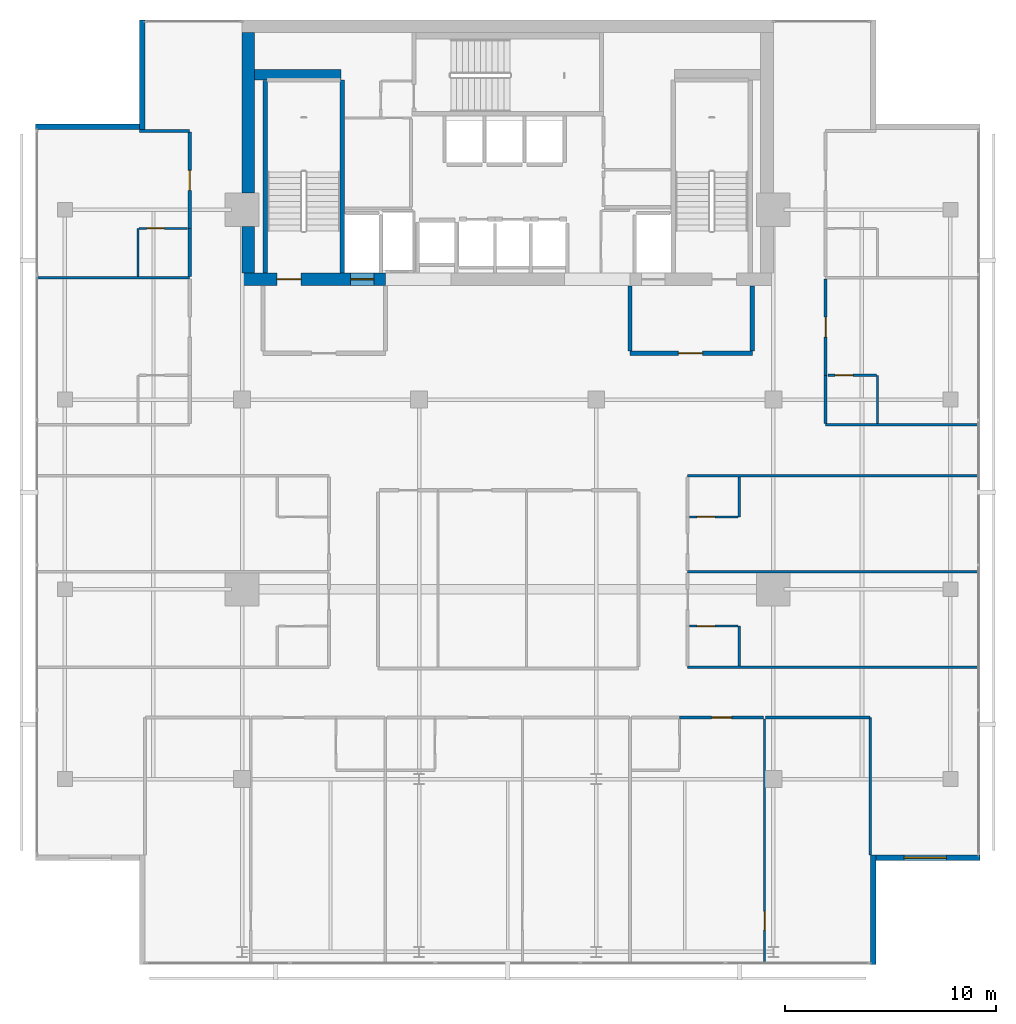
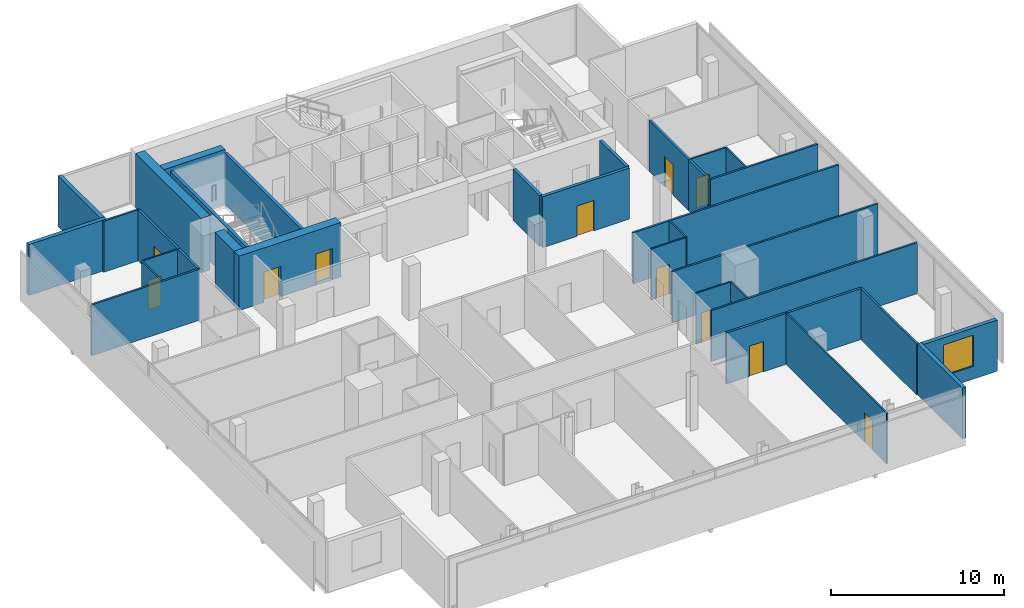
# One storey, part 21 of 25: 35 walls, 11 doors, 1 window, 12 openings.
"""IFC4 building model written with IfcOpenShell, lengths in metres."""

from ifc_helpers import new_model, si_unit, direction, frame, frame_2d, origin, place, context, subcontext, project, spatial, rectangle, extrude, material, layer, layer_set, type_object, element, fill, save


model = new_model("IFC4")

# Units and contexts
model_context = context("Model", 3, precision=1e-05, world=origin(), true_north=direction((0.0, 1.0)))
body_context = subcontext(model_context, "Body", "Model", "MODEL_VIEW")
ifc_project = project(units=[si_unit("LENGTHUNIT", "METRE"), si_unit("AREAUNIT", "SQUARE_METRE"), si_unit("VOLUMEUNIT", "CUBIC_METRE"), si_unit("PLANEANGLEUNIT", "RADIAN"), si_unit("MASSUNIT", "GRAM", prefix="KILO")], contexts=[model_context])

# Site, building, storey
site_placement = place(None, origin())
site = spatial("IfcSite", under=ifc_project, at=site_placement, CompositionType="ELEMENT")
building_placement = place(site_placement, origin())
building = spatial("IfcBuilding", under=site, at=building_placement, Name="Maruvema Waterfront Hotel and Observation Tower", CompositionType="ELEMENT")
storey_placement = place(building_placement, frame((0.0, 0.0, 297.14990234375)))
storey = spatial("IfcBuildingStorey", under=building, at=storey_placement, Name="L73", CompositionType="ELEMENT", Elevation=297.14990234375)

# Wall, opening, door
ifc_material_1 = material(Name="Twin-stud acoustic gypsum drywall", Category="gypsum")
ifc_layer_1 = layer(ifc_material_1, 0.14990234375, Name="Acoustic Corridor and Suite Demising Wall 150 mm")
ifc_layer_set_1 = layer_set([ifc_layer_1], Name="Twin-stud acoustic gypsum drywall")
wall_type_1 = type_object("IfcWallType", Name="Acoustic Corridor and Suite Demising Wall 150 mm", PredefinedType="PARTITIONING", material=ifc_layer_set_1)
wall_1_placement = place(storey_placement, frame((45.949951171875, 20.919921875, 0.0), z_axis=(0.0, 0.0, 1.0), x_axis=(1.0, 0.0, 0.0)))
wall_1 = element("IfcWall", 1, at=wall_1_placement, inside=storey, type_object=wall_type_1, Name="L73 Unit L73-S3 Corridor Wall 048", PredefinedType="PARTITIONING", context=body_context, shape_type="SweptSolid", body=[
    extrude(rectangle(XDim=3.994140625, YDim=0.14990234375, at=frame_2d((1.9970703125, 0.0))), origin(), (0.0, 0.0, 1.0), 3.610107421875),
])
opening_1_placement = place(wall_1_placement, frame((1.52197265625, 0.0, 0.0)))
opening_1 = element("IfcOpeningElement", 2, at=opening_1_placement, cuts=wall_1, Name="Opening DR-095", PredefinedType="OPENING", context=body_context, shape_type="SweptSolid", body=[
    extrude(rectangle(XDim=0.949951171875, YDim=2.14990234375, at=frame_2d((0.47509765625, 1.074951171875))), frame((0.0, 0.0849609375, 0.0), z_axis=(0.0, -1.0, 0.0), x_axis=(1.0, 0.0, 0.0)), (0.0, 0.0, 1.0), 0.169921875),
])
ifc_material_2 = material(Name="Acoustic solid-core hardwood timber leaf", Category="wood")
door_type_1 = type_object("IfcDoorType", Name="Guestroom Entrance Fire Door 950x2150 mm", OperationType="NOTDEFINED", PredefinedType="DOOR", material=ifc_material_2)
door_1_placement = place(opening_1_placement, frame((0.949951171875, 0.0, 0.0), z_axis=(0.0, 0.0, 1.0), x_axis=(-1.0, 0.0, 0.0)))
door_1 = element("IfcDoor", 3, at=door_1_placement, inside=storey, type_object=door_type_1, Name="L73 Unit L73-S3 Entrance Door", OperationType="SINGLE_SWING_LEFT", OverallHeight=2.14990234375, OverallWidth=0.949951171875, PredefinedType="DOOR", context=body_context, shape_type="SweptSolid", body=[
    extrude(rectangle(XDim=0.949951171875, YDim=2.14990234375, at=frame_2d((0.47509765625, 1.074951171875))), frame((0.0, 0.02490234375, 0.0), z_axis=(0.0, -1.0, 0.0), x_axis=(1.0, 0.0, 0.0)), (0.0, 0.0, 1.0), 0.050048828125),
])
fill(opening_1, door_1)

# Walls
wall_2_placement = place(storey_placement, frame((50.02392578125, 20.919921875, 0.0), z_axis=(0.0, 0.0, 1.0), x_axis=(1.0, 0.0, 0.0)))
element("IfcWall", 4, at=wall_2_placement, inside=storey, type_object=wall_type_1, Name="L73 Bedroom L73-S3 Back Wall 049", PredefinedType="PARTITIONING", context=body_context, shape_type="SweptSolid", body=[
    extrude(rectangle(XDim=4.9560546875, YDim=0.14990234375, at=frame_2d((2.47802734375, 0.0))), origin(), (0.0, 0.0, 1.0), 3.610107421875),
])
wall_3_placement = place(storey_placement, frame((52.8798828125, 34.860107421875, 0.0), z_axis=(0.0, 0.0, 1.0), x_axis=(0.0, 1.0, 0.0)))
element("IfcWall", 5, at=wall_3_placement, inside=storey, type_object=wall_type_1, Name="L73 Bath L73-NE1 Wall 081", PredefinedType="PARTITIONING", context=body_context, shape_type="SweptSolid", body=[
    extrude(rectangle(XDim=2.289794921875, YDim=0.14990234375, at=frame_2d((1.14501953125, 0.0))), origin(), (0.0, 0.0, 1.0), 3.610107421875),
])

# Wall, opening, door
wall_4_placement = place(storey_placement, frame((52.8798828125, 37.14990234375, 0.0), z_axis=(0.0, 0.0, 1.0), x_axis=(0.0, 1.0, 0.0)))
wall_4 = element("IfcWall", 6, at=wall_4_placement, inside=storey, type_object=wall_type_1, Name="L73 Room L73-NE1 Corridor Wall 082", PredefinedType="PARTITIONING", context=body_context, shape_type="SweptSolid", body=[
    extrude(rectangle(XDim=4.558837890625, YDim=0.14990234375, at=frame_2d((2.279296875, 0.0))), origin(), (0.0, 0.0, 1.0), 3.610107421875),
])
opening_2_placement = place(wall_4_placement, frame((1.804443359375, 0.0, 0.0)))
opening_2 = element("IfcOpeningElement", 7, at=opening_2_placement, cuts=wall_4, Name="Opening DR-095", PredefinedType="OPENING", context=body_context, shape_type="SweptSolid", body=[
    extrude(rectangle(XDim=0.949951171875, YDim=2.14990234375, at=frame_2d((0.47509765625, 1.074951171875))), frame((0.0, 0.0849609375, 0.0), z_axis=(0.0, -1.0, 0.0), x_axis=(1.0, 0.0, 0.0)), (0.0, 0.0, 1.0), 0.169921875),
])
door_2_placement = place(opening_2_placement, frame((0.949951171875, 0.0, 0.0), z_axis=(0.0, 0.0, 1.0), x_axis=(-1.0, 0.0, 0.0)))
door_2 = element("IfcDoor", 8, at=door_2_placement, inside=storey, type_object=door_type_1, Name="L73 Room L73-NE1 Entrance Door", OperationType="SINGLE_SWING_RIGHT", OverallHeight=2.14990234375, OverallWidth=0.949951171875, PredefinedType="DOOR", context=body_context, shape_type="SweptSolid", body=[
    extrude(rectangle(XDim=0.949951171875, YDim=2.14990234375, at=frame_2d((0.47509765625, 1.074951171875))), frame((0.0, 0.02490234375, 0.0), z_axis=(0.0, -1.0, 0.0), x_axis=(1.0, 0.0, 0.0)), (0.0, 0.0, 1.0), 0.050048828125),
])
fill(opening_2, door_2)

# Wall
wall_5_placement = place(storey_placement, frame((22.719970703125, 41.82861328125, 0.0), z_axis=(0.0, 0.0, 1.0), x_axis=(0.0, 1.0, 0.0)))
element("IfcWall", 9, at=wall_5_placement, inside=storey, type_object=wall_type_1, Name="L73 Bath L73-NW2 Wall 087", PredefinedType="PARTITIONING", context=body_context, shape_type="SweptSolid", body=[
    extrude(rectangle(XDim=2.2900390625, YDim=0.14990234375, at=frame_2d((1.14501953125, 0.0))), origin(), (0.0, 0.0, 1.0), 3.610107421875),
])

# Wall, opening, door
wall_6_placement = place(storey_placement, frame((22.719970703125, 44.11865234375, 0.0), z_axis=(0.0, 0.0, 1.0), x_axis=(0.0, 1.0, 0.0)))
wall_6 = element("IfcWall", 10, at=wall_6_placement, inside=storey, type_object=wall_type_1, Name="L73 Room L73-NW2 Corridor Wall 088", PredefinedType="PARTITIONING", context=body_context, shape_type="SweptSolid", body=[
    extrude(rectangle(XDim=4.558837890625, YDim=0.14990234375, at=frame_2d((2.279296875, 0.0))), origin(), (0.0, 0.0, 1.0), 3.610107421875),
])
opening_3_placement = place(wall_6_placement, frame((1.804443359375, 0.0, 0.0)))
opening_3 = element("IfcOpeningElement", 11, at=opening_3_placement, cuts=wall_6, Name="Opening DR-095", PredefinedType="OPENING", context=body_context, shape_type="SweptSolid", body=[
    extrude(rectangle(XDim=0.949951171875, YDim=2.14990234375, at=frame_2d((0.47509765625, 1.074951171875))), frame((0.0, 0.0849609375, 0.0), z_axis=(0.0, -1.0, 0.0), x_axis=(1.0, 0.0, 0.0)), (0.0, 0.0, 1.0), 0.169921875),
])
door_3_placement = place(opening_3_placement, origin())
door_3 = element("IfcDoor", 12, at=door_3_placement, inside=storey, type_object=door_type_1, Name="L73 Room L73-NW2 Entrance Door", OperationType="SINGLE_SWING_RIGHT", OverallHeight=2.14990234375, OverallWidth=0.949951171875, PredefinedType="DOOR", context=body_context, shape_type="SweptSolid", body=[
    extrude(rectangle(XDim=0.949951171875, YDim=2.14990234375, at=frame_2d((0.47509765625, 1.074951171875))), frame((0.0, 0.02490234375, 0.0), z_axis=(0.0, -1.0, 0.0), x_axis=(1.0, 0.0, 0.0)), (0.0, 0.0, 1.0), 0.050048828125),
])
fill(opening_3, door_3)

# Walls
ifc_material_3 = material(Name="Precast concrete C45/55", Category="concrete")
ifc_layer_2 = layer(ifc_material_3, 0.199951171875, Name="Core Shaft and Stairwell Enclosure Wall 200 mm")
ifc_layer_set_2 = layer_set([ifc_layer_2], Name="Precast concrete C45/55")
wall_type_2 = type_object("IfcWallType", Name="Core Shaft and Stairwell Enclosure Wall 200 mm", PredefinedType="SOLIDWALL", material=ifc_layer_set_2)
wall_7_placement = place(storey_placement, frame((29.949951171875, 42.0, 0.0), z_axis=(0.0, 0.0, 1.0), x_axis=(0.0, 1.0, 0.0)))
element("IfcWall", 13, at=wall_7_placement, inside=storey, type_object=wall_type_2, Name="L73 Stairwell ST-01 East Shaft Wall", PredefinedType="SOLIDWALL", context=body_context, shape_type="SweptSolid", body=[
    extrude(rectangle(XDim=9.14990234375, YDim=0.199951171875, at=frame_2d((4.574951171875, 0.0))), origin(), (0.0, 0.0, 1.0), 3.610107421875),
])
wall_8_placement = place(storey_placement, frame((26.300048828125, 42.0, 0.0), z_axis=(0.0, 0.0, 1.0), x_axis=(0.0, 1.0, 0.0)))
element("IfcWall", 14, at=wall_8_placement, inside=storey, type_object=wall_type_2, Name="L73 Stairwell ST-01 Shaft Lining Wall", PredefinedType="SOLIDWALL", context=body_context, shape_type="SweptSolid", body=[
    extrude(rectangle(XDim=9.1201171875, YDim=0.199951171875, at=frame_2d((4.56005859375, 0.0))), origin(), (0.0, 0.0, 1.0), 3.610107421875),
])
ifc_material_4 = material(Name="Concrete C70/85", Category="concrete")
ifc_layer_3 = layer(ifc_material_4, 0.5, Name="Core Shear Wall 500 mm")
ifc_layer_set_3 = layer_set([ifc_layer_3], Name="Concrete C70/85")
wall_type_3 = type_object("IfcWallType", Name="Core Shear Wall 500 mm", PredefinedType="SHEAR", material=ifc_layer_set_3)
wall_9_placement = place(storey_placement, frame((25.800048828125, 51.39990234375, 0.0), z_axis=(0.0, 0.0, 1.0), x_axis=(1.0, 0.0, 0.0)))
element("IfcWall", 15, at=wall_9_placement, inside=storey, type_object=wall_type_3, Name="L73 Internal Core Shear Wall NW 500 mm", PredefinedType="SHEAR", context=body_context, shape_type="SweptSolid", body=[
    extrude(rectangle(XDim=4.099853515625, YDim=0.5, at=frame_2d((2.0498046875, 0.0))), origin(), (0.0, 0.0, 1.0), 3.85009765625),
])

# Wall, openings, doors
ifc_material_5 = material(Name="Concrete C60/75", Category="concrete")
ifc_layer_4 = layer(ifc_material_5, 0.60009765625, Name="Core Shear Wall 600 mm")
ifc_layer_set_4 = layer_set([ifc_layer_4], Name="Concrete C60/75")
wall_type_4 = type_object("IfcWallType", Name="Core Shear Wall 600 mm", PredefinedType="SHEAR", material=ifc_layer_set_4)
wall_10_placement = place(storey_placement, frame((25.199951171875, 41.699951171875, 0.0), z_axis=(0.0, 0.0, 1.0), x_axis=(1.0, 0.0, 0.0)))
wall_10 = element("IfcWall", 16, at=wall_10_placement, inside=storey, type_object=wall_type_4, Name="L73 South-West Core Shear Wall", PredefinedType="SHEAR", context=body_context, shape_type="SweptSolid", body=[
    extrude(rectangle(XDim=6.800048828125, YDim=0.60009765625, at=frame_2d((3.39990234375, 0.0))), origin(), (0.0, 0.0, 1.0), 3.85009765625),
])
opening_4_placement = place(wall_10_placement, frame((1.64990234375, 0.0, 0.0)))
opening_4 = element("IfcOpeningElement", 17, at=opening_4_placement, cuts=wall_10, Name="Opening SD-01", PredefinedType="OPENING", context=body_context, shape_type="SweptSolid", body=[
    extrude(rectangle(XDim=1.14990234375, YDim=2.14990234375, at=frame_2d((0.574951171875, 1.074951171875))), frame((0.0, 0.31005859375, 0.0), z_axis=(0.0, -1.0, 0.0), x_axis=(1.0, 0.0, 0.0)), (0.0, 0.0, 1.0), 0.6201171875),
])
opening_5_placement = place(wall_10_placement, frame((5.14990234375, 0.0, 0.0)))
opening_5 = element("IfcOpeningElement", 18, at=opening_5_placement, cuts=wall_10, Name="Opening LD-03", PredefinedType="OPENING", context=body_context, shape_type="SweptSolid", body=[
    extrude(rectangle(XDim=1.10009765625, YDim=2.199951171875, at=frame_2d((0.550048828125, 1.10009765625))), frame((0.0, 0.31005859375, 0.0), z_axis=(0.0, -1.0, 0.0), x_axis=(1.0, 0.0, 0.0)), (0.0, 0.0, 1.0), 0.6201171875),
])
ifc_material_6 = material(Name="Fire-rated galvanised steel leaf", Category="steel")
door_type_2 = type_object("IfcDoorType", Name="Exit Stair Fire Door 1150x2150 mm", OperationType="NOTDEFINED", PredefinedType="DOOR", material=ifc_material_6)
door_4_placement = place(opening_4_placement, origin())
door_4 = element("IfcDoor", 19, at=door_4_placement, inside=storey, type_object=door_type_2, Name="L73 Exit Stair ST-01 Fire Door", OperationType="SINGLE_SWING_LEFT", OverallHeight=2.14990234375, OverallWidth=1.14990234375, PredefinedType="DOOR", context=body_context, shape_type="SweptSolid", body=[
    extrude(rectangle(XDim=1.14990234375, YDim=2.14990234375, at=frame_2d((0.574951171875, 1.074951171875))), frame((0.0, 0.02490234375, 0.0), z_axis=(0.0, -1.0, 0.0), x_axis=(1.0, 0.0, 0.0)), (0.0, 0.0, 1.0), 0.050048828125),
])
fill(opening_4, door_4)
ifc_material_7 = material(Name="Brushed stainless steel Grade 316", Category="steel")
door_type_3 = type_object("IfcDoorType", Name="Firefighting Lift Sliding Landing Door 1100x2200 mm", OperationType="SLIDING_TO_LEFT", PredefinedType="DOOR", material=ifc_material_7)
door_5_placement = place(opening_5_placement, frame((1.10009765625, 0.0, 0.0), z_axis=(0.0, 0.0, 1.0), x_axis=(-1.0, 0.0, 0.0)))
door_5 = element("IfcDoor", 20, at=door_5_placement, inside=storey, type_object=door_type_3, Name="L73 Firefighting Lift FL-01 Landing Door", OperationType="SLIDING_TO_LEFT", OverallHeight=2.199951171875, OverallWidth=1.10009765625, PredefinedType="DOOR", context=body_context, shape_type="SweptSolid", body=[
    extrude(rectangle(XDim=1.10009765625, YDim=2.199951171875, at=frame_2d((0.550048828125, 1.10009765625))), frame((0.0, 0.02490234375, 0.0), z_axis=(0.0, -1.0, 0.0), x_axis=(1.0, 0.0, 0.0)), (0.0, 0.0, 1.0), 0.050048828125),
])
fill(opening_5, door_5)

# Walls
wall_11_placement = place(storey_placement, frame((25.5, 42.0, 0.0), z_axis=(0.0, 0.0, 1.0), x_axis=(0.0, 1.0, 0.0)))
element("IfcWall", 21, at=wall_11_placement, inside=storey, type_object=wall_type_4, Name="L73 West-South Core Shear Wall", PredefinedType="SHEAR", context=body_context, shape_type="SweptSolid", body=[
    extrude(rectangle(XDim=2.199951171875, YDim=0.60009765625, at=frame_2d((1.10009765625, 0.0))), origin(), (0.0, 0.0, 1.0), 3.85009765625),
])
wall_12_placement = place(storey_placement, frame((25.5, 45.800048828125, 0.0), z_axis=(0.0, 0.0, 1.0), x_axis=(0.0, 1.0, 0.0)))
element("IfcWall", 22, at=wall_12_placement, inside=storey, type_object=wall_type_4, Name="L73 West-North Core Shear Wall", PredefinedType="SHEAR", context=body_context, shape_type="SweptSolid", body=[
    extrude(rectangle(XDim=7.599853515625, YDim=0.60009765625, at=frame_2d((3.7998046875, 0.0))), origin(), (0.0, 0.0, 1.0), 3.85009765625),
])

# Wall, opening, door
ifc_material_8 = material(Name="Moisture-resistant cement-board drywall", Category="gypsum")
ifc_layer_5 = layer(ifc_material_8, 0.10009765625, Name="En-Suite Moisture-Resistant Partition 100 mm")
ifc_layer_set_5 = layer_set([ifc_layer_5], Name="Moisture-resistant cement-board drywall")
wall_type_5 = type_object("IfcWallType", Name="En-Suite Moisture-Resistant Partition 100 mm", PredefinedType="PARTITIONING", material=ifc_layer_set_5)
wall_13_placement = place(storey_placement, frame((49.98388671875, 9.22998046875, 0.0), z_axis=(0.0, 0.0, 1.0), x_axis=(0.0, 1.0, 0.0)))
wall_13 = element("IfcWall", 23, at=wall_13_placement, inside=storey, type_object=wall_type_5, Name="L73 Suite L73-S3 Split 050", PredefinedType="PARTITIONING", context=body_context, shape_type="SweptSolid", body=[
    extrude(rectangle(XDim=11.630126953125, YDim=0.10009765625, at=frame_2d((5.81494140625, 0.0))), origin(), (0.0, 0.0, 1.0), 3.610107421875),
])
opening_6_placement = place(wall_13_placement, frame((1.60009765625, 0.0, 0.0)))
opening_6 = element("IfcOpeningElement", 24, at=opening_6_placement, cuts=wall_13, Name="Opening DR-090", PredefinedType="OPENING", context=body_context, shape_type="SweptSolid", body=[
    extrude(rectangle(XDim=0.89990234375, YDim=2.10009765625, at=frame_2d((0.449951171875, 1.050048828125))), frame((0.0, 0.06005859375, 0.0), z_axis=(0.0, -1.0, 0.0), x_axis=(1.0, 0.0, 0.0)), (0.0, 0.0, 1.0), 0.1201171875),
])
ifc_material_9 = material(Name="Solid-core lacquered timber leaf", Category="wood")
door_type_4 = type_object("IfcDoorType", Name="Accessible Toilet and Room Door 900x2100 mm", OperationType="NOTDEFINED", PredefinedType="DOOR", material=ifc_material_9)
door_6_placement = place(opening_6_placement, origin())
door_6 = element("IfcDoor", 25, at=door_6_placement, inside=storey, type_object=door_type_4, Name="L73 Suite L73-S3 Bedroom Door", OperationType="SINGLE_SWING_RIGHT", OverallHeight=2.10009765625, OverallWidth=0.89990234375, PredefinedType="DOOR", context=body_context, shape_type="SweptSolid", body=[
    extrude(rectangle(XDim=0.89990234375, YDim=2.10009765625, at=frame_2d((0.449951171875, 1.050048828125))), frame((0.0, 0.02490234375, 0.0), z_axis=(0.0, -1.0, 0.0), x_axis=(1.0, 0.0, 0.0)), (0.0, 0.0, 1.0), 0.050048828125),
])
fill(opening_6, door_6)

# Wall
wall_14_placement = place(storey_placement, frame((48.780029296875, 23.360107421875, 0.0), z_axis=(0.0, 0.0, 1.0), x_axis=(0.0, 1.0, 0.0)))
element("IfcWall", 26, at=wall_14_placement, inside=storey, type_object=wall_type_5, Name="L73 En-Suite L73-E1 E 061", PredefinedType="PARTITIONING", context=body_context, shape_type="SweptSolid", body=[
    extrude(rectangle(XDim=1.889892578125, YDim=0.10009765625, at=frame_2d((0.94482421875, 0.0))), origin(), (0.0, 0.0, 1.0), 3.610107421875),
])

# Wall, opening, door
wall_15_placement = place(storey_placement, frame((46.429931640625, 25.25, 0.0), z_axis=(0.0, 0.0, 1.0), x_axis=(1.0, 0.0, 0.0)))
wall_15 = element("IfcWall", 27, at=wall_15_placement, inside=storey, type_object=wall_type_5, Name="L73 En-Suite L73-E1 N 062", PredefinedType="PARTITIONING", context=body_context, shape_type="SweptSolid", body=[
    extrude(rectangle(XDim=2.300048828125, YDim=0.10009765625, at=frame_2d((1.14990234375, 0.0))), origin(), (0.0, 0.0, 1.0), 3.610107421875),
])
opening_7_placement = place(wall_15_placement, frame((0.35009765625, 0.0, 0.0)))
opening_7 = element("IfcOpeningElement", 28, at=opening_7_placement, cuts=wall_15, Name="Opening DR-085", PredefinedType="OPENING", context=body_context, shape_type="SweptSolid", body=[
    extrude(rectangle(XDim=0.85009765625, YDim=2.10009765625, at=frame_2d((0.425048828125, 1.050048828125))), frame((0.0, 0.06005859375, 0.0), z_axis=(0.0, -1.0, 0.0), x_axis=(1.0, 0.0, 0.0)), (0.0, 0.0, 1.0), 0.1201171875),
])
ifc_material_10 = material(Name="Moisture-resistant solid timber leaf", Category="wood")
door_type_5 = type_object("IfcDoorType", Name="En-Suite Bathroom Door 850x2100 mm", OperationType="NOTDEFINED", PredefinedType="DOOR", material=ifc_material_10)
door_7_placement = place(opening_7_placement, origin())
door_7 = element("IfcDoor", 29, at=door_7_placement, inside=storey, type_object=door_type_5, Name="L73 En-Suite L73-E1 Door", OperationType="SINGLE_SWING_LEFT", OverallHeight=2.10009765625, OverallWidth=0.85009765625, PredefinedType="DOOR", context=body_context, shape_type="SweptSolid", body=[
    extrude(rectangle(XDim=0.85009765625, YDim=2.10009765625, at=frame_2d((0.425048828125, 1.050048828125))), frame((0.0, 0.02490234375, 0.0), z_axis=(0.0, -1.0, 0.0), x_axis=(1.0, 0.0, 0.0)), (0.0, 0.0, 1.0), 0.050048828125),
])
fill(opening_7, door_7)

# Wall
wall_16_placement = place(storey_placement, frame((48.780029296875, 30.429931640625, 0.0), z_axis=(0.0, 0.0, 1.0), x_axis=(0.0, 1.0, 0.0)))
element("IfcWall", 30, at=wall_16_placement, inside=storey, type_object=wall_type_5, Name="L73 En-Suite L73-E2 E 071", PredefinedType="PARTITIONING", context=body_context, shape_type="SweptSolid", body=[
    extrude(rectangle(XDim=1.89013671875, YDim=0.10009765625, at=frame_2d((0.945068359375, 0.0))), origin(), (0.0, 0.0, 1.0), 3.610107421875),
])

# Wall, opening, door
wall_17_placement = place(storey_placement, frame((46.429931640625, 30.429931640625, 0.0), z_axis=(0.0, 0.0, 1.0), x_axis=(1.0, 0.0, 0.0)))
wall_17 = element("IfcWall", 31, at=wall_17_placement, inside=storey, type_object=wall_type_5, Name="L73 En-Suite L73-E2 S 072", PredefinedType="PARTITIONING", context=body_context, shape_type="SweptSolid", body=[
    extrude(rectangle(XDim=2.300048828125, YDim=0.10009765625, at=frame_2d((1.14990234375, 0.0))), origin(), (0.0, 0.0, 1.0), 3.610107421875),
])
opening_8_placement = place(wall_17_placement, frame((0.35009765625, 0.0, 0.0)))
opening_8 = element("IfcOpeningElement", 32, at=opening_8_placement, cuts=wall_17, Name="Opening DR-085", PredefinedType="OPENING", context=body_context, shape_type="SweptSolid", body=[
    extrude(rectangle(XDim=0.85009765625, YDim=2.10009765625, at=frame_2d((0.425048828125, 1.050048828125))), frame((0.0, 0.06005859375, 0.0), z_axis=(0.0, -1.0, 0.0), x_axis=(1.0, 0.0, 0.0)), (0.0, 0.0, 1.0), 0.1201171875),
])
door_8_placement = place(opening_8_placement, frame((0.85009765625, 0.0, 0.0), z_axis=(0.0, 0.0, 1.0), x_axis=(-1.0, 0.0, 0.0)))
door_8 = element("IfcDoor", 33, at=door_8_placement, inside=storey, type_object=door_type_5, Name="L73 En-Suite L73-E2 Door", OperationType="SINGLE_SWING_LEFT", OverallHeight=2.10009765625, OverallWidth=0.85009765625, PredefinedType="DOOR", context=body_context, shape_type="SweptSolid", body=[
    extrude(rectangle(XDim=0.85009765625, YDim=2.10009765625, at=frame_2d((0.425048828125, 1.050048828125))), frame((0.0, 0.02490234375, 0.0), z_axis=(0.0, -1.0, 0.0), x_axis=(1.0, 0.0, 0.0)), (0.0, 0.0, 1.0), 0.050048828125),
])
fill(opening_8, door_8)

# Wall
wall_18_placement = place(storey_placement, frame((55.330078125, 34.860107421875, 0.0), z_axis=(0.0, 0.0, 1.0), x_axis=(0.0, 1.0, 0.0)))
element("IfcWall", 34, at=wall_18_placement, inside=storey, type_object=wall_type_5, Name="L73 En-Suite L73-NE1 E 083", PredefinedType="PARTITIONING", context=body_context, shape_type="SweptSolid", body=[
    extrude(rectangle(XDim=2.289794921875, YDim=0.10009765625, at=frame_2d((1.14501953125, 0.0))), origin(), (0.0, 0.0, 1.0), 3.610107421875),
])

# Wall, opening, door
wall_19_placement = place(storey_placement, frame((52.97998046875, 37.14990234375, 0.0), z_axis=(0.0, 0.0, 1.0), x_axis=(1.0, 0.0, 0.0)))
wall_19 = element("IfcWall", 35, at=wall_19_placement, inside=storey, type_object=wall_type_5, Name="L73 En-Suite L73-NE1 N 084", PredefinedType="PARTITIONING", context=body_context, shape_type="SweptSolid", body=[
    extrude(rectangle(XDim=2.300048828125, YDim=0.10009765625, at=frame_2d((1.14990234375, 0.0))), origin(), (0.0, 0.0, 1.0), 3.610107421875),
])
opening_9_placement = place(wall_19_placement, frame((0.35009765625, 0.0, 0.0)))
opening_9 = element("IfcOpeningElement", 36, at=opening_9_placement, cuts=wall_19, Name="Opening DR-085", PredefinedType="OPENING", context=body_context, shape_type="SweptSolid", body=[
    extrude(rectangle(XDim=0.85009765625, YDim=2.10009765625, at=frame_2d((0.425048828125, 1.050048828125))), frame((0.0, 0.06005859375, 0.0), z_axis=(0.0, -1.0, 0.0), x_axis=(1.0, 0.0, 0.0)), (0.0, 0.0, 1.0), 0.1201171875),
])
door_9_placement = place(opening_9_placement, origin())
door_9 = element("IfcDoor", 37, at=door_9_placement, inside=storey, type_object=door_type_5, Name="L73 En-Suite L73-NE1 Door", OperationType="SINGLE_SWING_LEFT", OverallHeight=2.10009765625, OverallWidth=0.85009765625, PredefinedType="DOOR", context=body_context, shape_type="SweptSolid", body=[
    extrude(rectangle(XDim=0.85009765625, YDim=2.10009765625, at=frame_2d((0.425048828125, 1.050048828125))), frame((0.0, 0.02490234375, 0.0), z_axis=(0.0, -1.0, 0.0), x_axis=(1.0, 0.0, 0.0)), (0.0, 0.0, 1.0), 0.050048828125),
])
fill(opening_9, door_9)

# Wall
wall_20_placement = place(storey_placement, frame((20.27001953125, 41.82861328125, 0.0), z_axis=(0.0, 0.0, 1.0), x_axis=(0.0, 1.0, 0.0)))
element("IfcWall", 38, at=wall_20_placement, inside=storey, type_object=wall_type_5, Name="L73 En-Suite L73-NW2 W 089", PredefinedType="PARTITIONING", context=body_context, shape_type="SweptSolid", body=[
    extrude(rectangle(XDim=2.2900390625, YDim=0.10009765625, at=frame_2d((1.14501953125, 0.0))), origin(), (0.0, 0.0, 1.0), 3.610107421875),
])

# Wall, opening, door
wall_21_placement = place(storey_placement, frame((20.320068359375, 44.11865234375, 0.0), z_axis=(0.0, 0.0, 1.0), x_axis=(1.0, 0.0, 0.0)))
wall_21 = element("IfcWall", 39, at=wall_21_placement, inside=storey, type_object=wall_type_5, Name="L73 En-Suite L73-NW2 N 090", PredefinedType="PARTITIONING", context=body_context, shape_type="SweptSolid", body=[
    extrude(rectangle(XDim=2.300048828125, YDim=0.10009765625, at=frame_2d((1.14990234375, 0.0))), origin(), (0.0, 0.0, 1.0), 3.610107421875),
])
opening_10_placement = place(wall_21_placement, frame((0.35009765625, 0.0, 0.0)))
opening_10 = element("IfcOpeningElement", 40, at=opening_10_placement, cuts=wall_21, Name="Opening DR-085", PredefinedType="OPENING", context=body_context, shape_type="SweptSolid", body=[
    extrude(rectangle(XDim=0.85009765625, YDim=2.10009765625, at=frame_2d((0.425048828125, 1.050048828125))), frame((0.0, 0.06005859375, 0.0), z_axis=(0.0, -1.0, 0.0), x_axis=(1.0, 0.0, 0.0)), (0.0, 0.0, 1.0), 0.1201171875),
])
door_10_placement = place(opening_10_placement, origin())
door_10 = element("IfcDoor", 41, at=door_10_placement, inside=storey, type_object=door_type_5, Name="L73 En-Suite L73-NW2 Door", OperationType="SINGLE_SWING_LEFT", OverallHeight=2.10009765625, OverallWidth=0.85009765625, PredefinedType="DOOR", context=body_context, shape_type="SweptSolid", body=[
    extrude(rectangle(XDim=0.85009765625, YDim=2.10009765625, at=frame_2d((0.425048828125, 1.050048828125))), frame((0.0, 0.02490234375, 0.0), z_axis=(0.0, -1.0, 0.0), x_axis=(1.0, 0.0, 0.0)), (0.0, 0.0, 1.0), 0.050048828125),
])
fill(opening_10, door_10)

# Wall
ifc_material_11 = material(Name="Precast concrete C45/55 with honed Pernambuco granite facing", Category="masonry")
ifc_layer_6 = layer(ifc_material_11, 0.260009765625, Name="Exterior Granite Clad Spandrel and Pier Wall 260 mm")
ifc_layer_set_6 = layer_set([ifc_layer_6], Name="Precast concrete C45/55 with honed Pernambuco granite facing")
wall_type_6 = type_object("IfcWallType", Name="Exterior Granite Clad Spandrel and Pier Wall 260 mm", PredefinedType="SOLIDWALL", material=ifc_layer_set_6)
wall_22_placement = place(storey_placement, frame((55.1298828125, 14.39990234375, 0.0), z_axis=(0.0, 0.0, 1.0), x_axis=(0.0, -1.0, 0.0)))
element("IfcWall", 42, at=wall_22_placement, inside=storey, type_object=wall_type_6, Name="L73 Corner Notch Granite Pier Wall SE1", PredefinedType="SOLIDWALL", context=body_context, shape_type="SweptSolid", body=[
    extrude(rectangle(XDim=5.199951171875, YDim=0.260009765625, at=frame_2d((2.60009765625, 0.0))), origin(), (0.0, 0.0, 1.0), 3.610107421875),
])

# Wall, opening, window
wall_23_placement = place(storey_placement, frame((60.199951171875, 14.27001953125, 0.0), z_axis=(0.0, 0.0, 1.0), x_axis=(-1.0, 0.0, 0.0)))
wall_23 = element("IfcWall", 43, at=wall_23_placement, inside=storey, type_object=wall_type_6, Name="L73 Corner Notch Granite Pier Wall SE2", PredefinedType="SOLIDWALL", context=body_context, shape_type="SweptSolid", body=[
    extrude(rectangle(XDim=5.199951171875, YDim=0.260009765625, at=frame_2d((2.60009765625, 0.0))), origin(), (0.0, 0.0, 1.0), 3.610107421875),
])
opening_11_placement = place(wall_23_placement, frame((1.60009765625, 0.0, 0.89990234375)))
opening_11 = element("IfcOpeningElement", 44, at=opening_11_placement, cuts=wall_23, Name="Opening WN-03", PredefinedType="OPENING", context=body_context, shape_type="SweptSolid", body=[
    extrude(rectangle(XDim=2.0, YDim=2.199951171875, at=frame_2d((1.0, 1.10009765625))), frame((0.0, 0.14013671875, 0.0), z_axis=(0.0, -1.0, 0.0), x_axis=(1.0, 0.0, 0.0)), (0.0, 0.0, 1.0), 0.280029296875),
])
ifc_material_12 = material(Name="Anodised bronze aluminium frame with laminated low-E glass", Category="aluminium")
window_type = type_object("IfcWindowType", Name="Sky Suite Panoramic Notch Window 2000x2200 mm", PartitioningType="SINGLE_PANEL", PredefinedType="WINDOW", material=ifc_material_12)
window_placement = place(opening_11_placement, origin())
window = element("IfcWindow", 45, at=window_placement, inside=storey, type_object=window_type, Name="L73 Corner Notch Punched Window SE2", OverallHeight=2.199951171875, OverallWidth=2.0, PartitioningType="SINGLE_PANEL", PredefinedType="WINDOW", context=body_context, shape_type="SweptSolid", body=[
    extrude(rectangle(XDim=2.0, YDim=2.199951171875, at=frame_2d((1.0, 1.10009765625))), frame((0.0, 0.030029296875, 0.0), z_axis=(0.0, -1.0, 0.0), x_axis=(1.0, 0.0, 0.0)), (0.0, 0.0, 1.0), 0.06005859375),
])
fill(opening_11, window)

# Walls
wall_24_placement = place(storey_placement, frame((20.469970703125, 48.800048828125, 0.0), z_axis=(0.0, 0.0, 1.0), x_axis=(0.0, 1.0, 0.0)))
element("IfcWall", 46, at=wall_24_placement, inside=storey, type_object=wall_type_6, Name="L73 Corner Notch Granite Pier Wall NW1", PredefinedType="SOLIDWALL", context=body_context, shape_type="SweptSolid", body=[
    extrude(rectangle(XDim=5.199951171875, YDim=0.260009765625, at=frame_2d((2.60009765625, 0.0))), origin(), (0.0, 0.0, 1.0), 3.610107421875),
])
wall_25_placement = place(storey_placement, frame((15.39990234375, 48.929931640625, 0.0), z_axis=(0.0, 0.0, 1.0), x_axis=(1.0, 0.0, 0.0)))
element("IfcWall", 47, at=wall_25_placement, inside=storey, type_object=wall_type_6, Name="L73 Corner Notch Granite Pier Wall NW2", PredefinedType="SOLIDWALL", context=body_context, shape_type="SweptSolid", body=[
    extrude(rectangle(XDim=5.2001953125, YDim=0.260009765625, at=frame_2d((2.60009765625, 0.0))), origin(), (0.0, 0.0, 1.0), 3.610107421875),
])

# Wall, opening, door
ifc_material_13 = material(Name="Autoclaved cellular concrete blockwork", Category="masonry")
ifc_layer_7 = layer(ifc_material_13, 0.199951171875, Name="Fire Compartment Masonry Wall 200 mm")
ifc_layer_set_7 = layer_set([ifc_layer_7], Name="Autoclaved cellular concrete blockwork")
wall_type_7 = type_object("IfcWallType", Name="Fire Compartment Masonry Wall 200 mm", PredefinedType="PARTITIONING", material=ifc_layer_set_7)
wall_26_placement = place(storey_placement, frame((43.60009765625, 38.199951171875, 0.0), z_axis=(0.0, 0.0, 1.0), x_axis=(1.0, 0.0, 0.0)))
wall_26 = element("IfcWall", 48, at=wall_26_placement, inside=storey, type_object=wall_type_7, Name="L73 FFL East South Wall 004", PredefinedType="PARTITIONING", context=body_context, shape_type="SweptSolid", body=[
    extrude(rectangle(XDim=5.7998046875, YDim=0.199951171875, at=frame_2d((2.89990234375, 0.0))), origin(), (0.0, 0.0, 1.0), 3.610107421875),
])
opening_12_placement = place(wall_26_placement, frame((2.300048828125, 0.0, 0.0)))
opening_12 = element("IfcOpeningElement", 49, at=opening_12_placement, cuts=wall_26, Name="Opening FD-115", PredefinedType="OPENING", context=body_context, shape_type="SweptSolid", body=[
    extrude(rectangle(XDim=1.14990234375, YDim=2.14990234375, at=frame_2d((0.574951171875, 1.074951171875))), frame((0.0, 0.10986328125, 0.0), z_axis=(0.0, -1.0, 0.0), x_axis=(1.0, 0.0, 0.0)), (0.0, 0.0, 1.0), 0.219970703125),
])
ifc_material_14 = material(Name="Fire-rated galvanised steel and vision glass", Category="steel")
door_type_6 = type_object("IfcDoorType", Name="Firefighting Lobby Fire Door 1150x2150 mm", OperationType="NOTDEFINED", PredefinedType="DOOR", material=ifc_material_14)
door_11_placement = place(opening_12_placement, frame((1.14990234375, 0.0, 0.0), z_axis=(0.0, 0.0, 1.0), x_axis=(-1.0, 0.0, 0.0)))
door_11 = element("IfcDoor", 50, at=door_11_placement, inside=storey, type_object=door_type_6, Name="L73 Firefighting Lobby East Door", OperationType="SINGLE_SWING_RIGHT", OverallHeight=2.14990234375, OverallWidth=1.14990234375, PredefinedType="DOOR", context=body_context, shape_type="SweptSolid", body=[
    extrude(rectangle(XDim=1.14990234375, YDim=2.14990234375, at=frame_2d((0.574951171875, 1.074951171875))), frame((0.0, 0.02490234375, 0.0), z_axis=(0.0, -1.0, 0.0), x_axis=(1.0, 0.0, 0.0)), (0.0, 0.0, 1.0), 0.050048828125),
])
fill(opening_12, door_11)

# Walls
for number, where, z_axis, x_axis, name in (
    (51, (43.60009765625, 38.31005859375, 0.0), (0.0, 0.0, 1.0), (0.0, 1.0, 0.0), "L73 FFL East West Wall 005"),
    (52, (49.39990234375, 38.31005859375, 0.0), (0.0, 0.0, 1.0), (0.0, 1.0, 0.0), "L73 FFL East East Wall 006"),
):
    element("IfcWall", number, at=place(storey_placement, frame(where, z_axis=z_axis, x_axis=x_axis)), inside=storey, type_object=wall_type_7, Name=name, PredefinedType="PARTITIONING", context=body_context, shape_type="SweptSolid", body=[
        extrude(rectangle(XDim=3.06982421875, YDim=0.199951171875, at=frame_2d((1.534912109375, 0.0))), origin(), (0.0, 0.0, 1.0), 3.610107421875),
    ])
ifc_material_15 = material(Name="Acoustic gypsum plasterboard drywall", Category="gypsum")
ifc_layer_8 = layer(ifc_material_15, 0.125, Name="Guestroom Acoustic Demising Wall 125 mm")
ifc_layer_set_8 = layer_set([ifc_layer_8], Name="Acoustic gypsum plasterboard drywall")
wall_type_8 = type_object("IfcWallType", Name="Guestroom Acoustic Demising Wall 125 mm", PredefinedType="PARTITIONING", material=ifc_layer_set_8)
wall_27_placement = place(storey_placement, frame((55.0, 14.39990234375, 0.0), z_axis=(0.0, 0.0, 1.0), x_axis=(0.0, 1.0, 0.0)))
element("IfcWall", 53, at=wall_27_placement, inside=storey, type_object=wall_type_8, Name="L73 Z3 S East End 030", PredefinedType="PARTITIONING", context=body_context, shape_type="SweptSolid", body=[
    extrude(rectangle(XDim=6.52001953125, YDim=0.125, at=frame_2d((3.260009765625, 0.0))), origin(), (0.0, 0.0, 1.0), 3.610107421875),
])
for number, where, z_axis, x_axis, name in (
    (54, (46.330078125, 23.300048828125, 0.0), (0.0, 0.0, 1.0), (1.0, 0.0, 0.0), "L73 Z3 E Bot End 052"),
    (55, (46.330078125, 32.3798828125, 0.0), (0.0, 0.0, 1.0), (1.0, 0.0, 0.0), "L73 Z3 E Top End 054"),
    (56, (46.330078125, 27.840087890625, 0.0), (0.0, 0.0, 1.0), (1.0, 0.0, 0.0), "L73 Z3 E Demising 2 064"),
):
    element("IfcWall", number, at=place(storey_placement, frame(where, z_axis=z_axis, x_axis=x_axis)), inside=storey, type_object=wall_type_8, Name=name, PredefinedType="PARTITIONING", context=body_context, shape_type="SweptSolid", body=[
        extrude(rectangle(XDim=13.77001953125, YDim=0.125, at=frame_2d((6.885009765625, 0.0))), origin(), (0.0, 0.0, 1.0), 3.610107421875),
    ])
wall_28_placement = place(storey_placement, frame((52.8798828125, 34.800048828125, 0.0), z_axis=(0.0, 0.0, 1.0), x_axis=(1.0, 0.0, 0.0)))
element("IfcWall", 57, at=wall_28_placement, inside=storey, type_object=wall_type_8, Name="L73 Z3 NE Bot End 074", PredefinedType="PARTITIONING", context=body_context, shape_type="SweptSolid", body=[
    extrude(rectangle(XDim=7.22021484375, YDim=0.125, at=frame_2d((3.610107421875, 0.0))), origin(), (0.0, 0.0, 1.0), 3.610107421875),
])
wall_29_placement = place(storey_placement, frame((20.340087890625, 48.737548828125, 0.0), z_axis=(0.0, 0.0, 1.0), x_axis=(1.0, 0.0, 0.0)))
element("IfcWall", 58, at=wall_29_placement, inside=storey, type_object=wall_type_8, Name="L73 Z3 NW Top End 075", PredefinedType="PARTITIONING", context=body_context, shape_type="SweptSolid", body=[
    extrude(rectangle(XDim=2.3798828125, YDim=0.125, at=frame_2d((1.18994140625, 0.0))), origin(), (0.0, 0.0, 1.0), 3.610107421875),
])
wall_30_placement = place(storey_placement, frame((15.5, 41.768798828125, 0.0), z_axis=(0.0, 0.0, 1.0), x_axis=(1.0, 0.0, 0.0)))
element("IfcWall", 59, at=wall_30_placement, inside=storey, type_object=wall_type_8, Name="L73 Z3 NW Demising 2 085", PredefinedType="PARTITIONING", context=body_context, shape_type="SweptSolid", body=[
    extrude(rectangle(XDim=7.219970703125, YDim=0.125, at=frame_2d((3.60986328125, 0.0))), origin(), (0.0, 0.0, 1.0), 3.610107421875),
])

save(model, "model.ifc")
